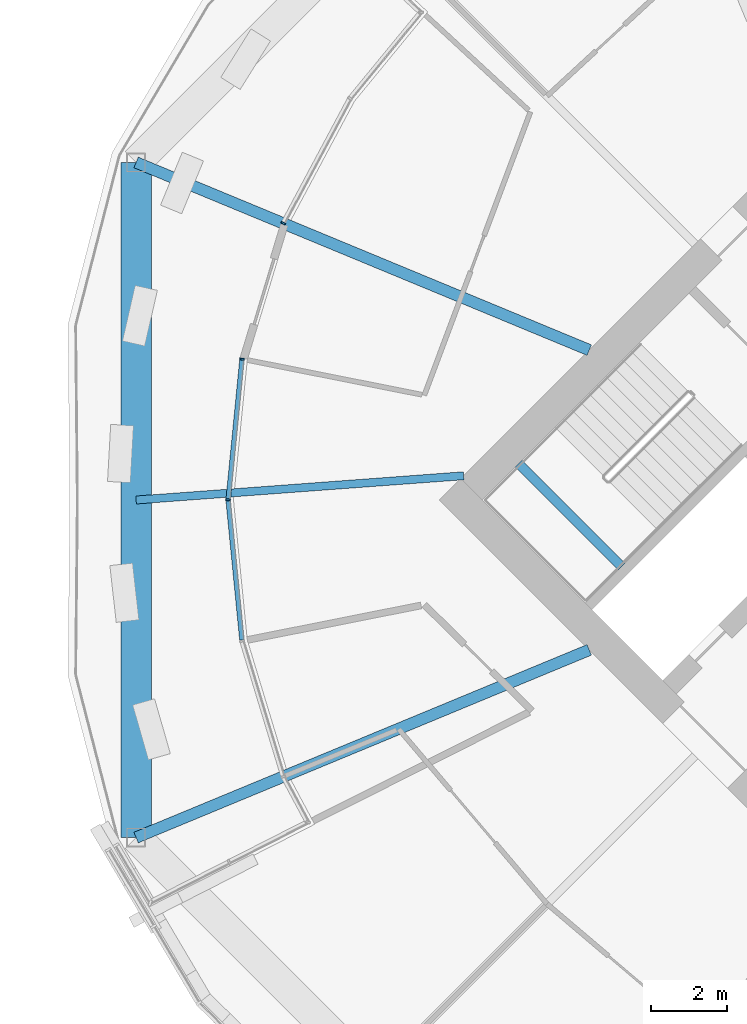
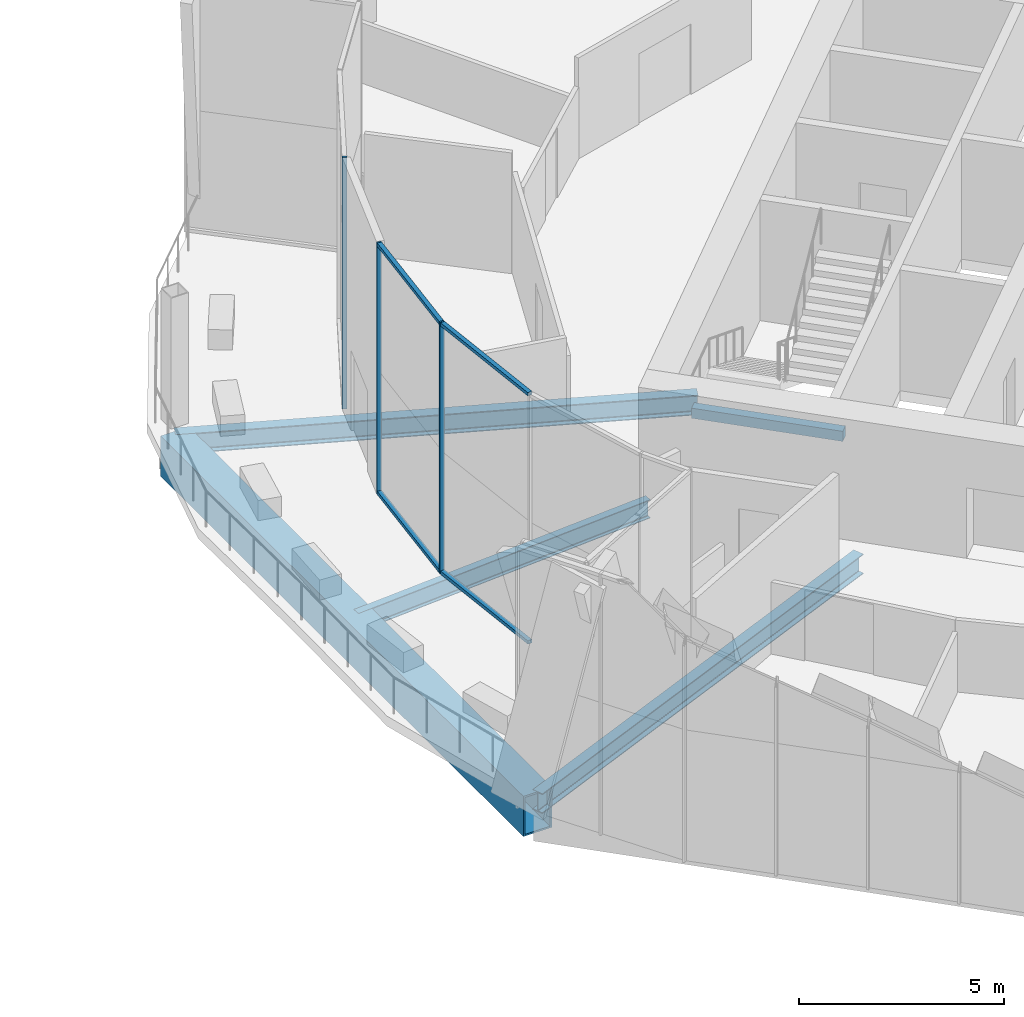
# One storey, part 12 of 31: 7 members, 5 beams, 3 elements without a shape of their own.
"""IFC4 building model written with IfcOpenShell, lengths in metres."""

from ifc_helpers import new_model, si_unit, direction, frame, origin, origin_2d, place, context, subcontext, project, spatial, rectangle, hollow_rectangle, i_section, extrude, material, material_profile, profile_set, type_object, element, aggregate, save


model = new_model("IFC4")

# Units and contexts
model_context = context("Model", 3, precision=1e-05, world=origin(), true_north=direction((0.0, 1.0)))
body_context = subcontext(model_context, "Body", "Model", "MODEL_VIEW")
ifc_project = project(units=[si_unit("LENGTHUNIT", "METRE"), si_unit("AREAUNIT", "SQUARE_METRE"), si_unit("VOLUMEUNIT", "CUBIC_METRE"), si_unit("PLANEANGLEUNIT", "RADIAN"), si_unit("MASSUNIT", "GRAM", prefix="KILO")], contexts=[model_context])

# Site, building, storey
site_placement = place(None, origin())
site = spatial("IfcSite", under=ifc_project, at=site_placement, CompositionType="ELEMENT")
building_placement = place(site_placement, origin())
building = spatial("IfcBuilding", under=site, at=building_placement, Name="Ogive Gate Towers", CompositionType="ELEMENT")
storey_placement = place(building_placement, frame((0.0, 0.0, 107.39990234375)))
storey = spatial("IfcBuildingStorey", under=building, at=storey_placement, Name="L25", CompositionType="ELEMENT", Elevation=107.39990234375)

# Beams
ifc_material_1 = material(Name="Steel SM460", Category="steel")
ifc_material_profile_1 = material_profile(ifc_material_1, hollow_rectangle(XDim=0.800048828125, YDim=1.199951171875, WallThickness=0.050048828125, at=origin_2d()), Name="BX 1200x800x50")
ifc_profile_set_1 = profile_set([ifc_material_profile_1], Name="Steel SM460")
beam_type_1 = type_object("IfcBeamType", Name="Edge girder BX 1200x800x50", PredefinedType="BEAM", material=ifc_profile_set_1)
beam_1_placement = place(storey_placement, frame((14.60302734375, 8.863037109375, -0.89990234375), z_axis=(0.0, -1.0, 0.0), x_axis=(1.0, 0.0, 0.0)))
element("IfcBeam", 1, at=beam_1_placement, inside=storey, type_object=beam_type_1, Name="T2/L25/SBM024", PredefinedType="BEAM", context=body_context, shape_type="SweptSolid", body=[
    extrude(hollow_rectangle(XDim=0.800048828125, YDim=1.199951171875, WallThickness=0.050048828125, at=origin_2d()), origin(), (0.0, 0.0, 1.0), 17.72607421875),
])
ifc_material_2 = material(Name="Concrete C40/50", Category="concrete")
ifc_material_profile_2 = material_profile(ifc_material_2, rectangle(XDim=0.25, YDim=0.300048828125, at=origin_2d()), Name="RC 250x300")
ifc_profile_set_2 = profile_set([ifc_material_profile_2], Name="Concrete C40/50")
beam_type_2 = type_object("IfcBeamType", Name="Landing bearer RC 250x300", PredefinedType="BEAM", material=ifc_profile_set_2)
beam_2_placement = place(storey_placement, frame((24.650390625, 0.9541015625, 1.60009765625), z_axis=(0.707106781187, -0.707106781187, 0.0), x_axis=(0.707106781187, 0.707106781187, 0.0)))
element("IfcBeam", 2, at=beam_2_placement, inside=storey, type_object=beam_type_2, Name="T2 L25 stair 1 landing bearer 1", PredefinedType="BEAM", context=body_context, shape_type="SweptSolid", body=[
    extrude(rectangle(XDim=0.25, YDim=0.300048828125, at=origin_2d()), origin(), (0.0, 0.0, 1.0), 3.824951171875),
])
ifc_material_3 = material(Name="Steel SM355", Category="steel")
ifc_material_profile_3 = material_profile(ifc_material_3, i_section(OverallWidth=0.300048828125, OverallDepth=0.590087890625, WebThickness=0.012939453125, FlangeThickness=0.02490234375, FilletRadius=0.027099609375, at=origin_2d()), Name="HE 600 A")
ifc_profile_set_3 = profile_set([ifc_material_profile_3], Name="Steel SM355")
beam_type_3 = type_object("IfcBeamType", Name="Radial floor beam HE 600 A", PredefinedType="BEAM", material=ifc_profile_set_3)
for number, where, z_axis, x_axis, name in (
    (3, (26.5, -3.93505859375, -0.594970703125), (-0.923877031545, -0.382689470177, 0.0), (0.382689470177, -0.923877031545, 0.0), "T2/L25/SBM001"),
    (4, (26.5, 3.93505859375, -0.594970703125), (-0.923877031545, 0.382689470177, 0.0), (-0.382689470177, -0.923877031545, 0.0), "T2/L25/SBM015"),
):
    element("IfcBeam", number, at=place(storey_placement, frame(where, z_axis=z_axis, x_axis=x_axis)), inside=storey, type_object=beam_type_3, Name=name, PredefinedType="BEAM", context=body_context, shape_type="SweptSolid", body=[
        extrude(i_section(OverallWidth=0.300048828125, OverallDepth=0.590087890625, WebThickness=0.012939453125, FlangeThickness=0.02490234375, FilletRadius=0.027099609375, at=origin_2d()), origin(), (0.0, 0.0, 1.0), 12.877197265625),
    ])
ifc_material_profile_4 = material_profile(ifc_material_3, i_section(OverallWidth=0.2099609375, OverallDepth=0.550048828125, WebThickness=0.010986328125, FlangeThickness=0.01708984375, FilletRadius=0.02392578125, at=origin_2d()), Name="IPE 550")
ifc_profile_set_4 = profile_set([ifc_material_profile_4], Name="Steel SM355")
beam_type_4 = type_object("IfcBeamType", Name="Radial floor beam IPE 550", PredefinedType="BEAM", material=ifc_profile_set_4)
beam_3_placement = place(storey_placement, frame((23.201416015625, 0.636474609375, -0.574951171875), z_axis=(-0.997271538954, -0.07382057702, 0.0), x_axis=(0.07382057702, -0.997271538954, 0.0)))
element("IfcBeam", 5, at=beam_3_placement, inside=storey, type_object=beam_type_4, Name="T2/L25/SBM016", PredefinedType="BEAM", context=body_context, shape_type="SweptSolid", body=[
    extrude(i_section(OverallWidth=0.2099609375, OverallDepth=0.550048828125, WebThickness=0.010986328125, FlangeThickness=0.01708984375, FilletRadius=0.02392578125, at=origin_2d()), origin(), (0.0, 0.0, 1.0), 8.621826171875),
])

# Curtain wall, members
ifc_material_4 = material(Name="Pale metal aluminium", Category="aluminium")
curtain_wall_type = type_object("IfcCurtainWallType", Name="Sky garden glazing", PredefinedType="NOTDEFINED", material=ifc_material_4)
curtain_wall_1_placement = place(storey_placement, origin())
curtain_wall_1 = element("IfcCurtainWall", 6, at=curtain_wall_1_placement, inside=storey, type_object=curtain_wall_type, Name="CW4 T2 ECW01", PredefinedType="NOTDEFINED")
ifc_material_profile_5 = material_profile(ifc_material_4, rectangle(XDim=0.1201171875, YDim=0.050048828125, at=origin_2d()), Name="50 x 120 aluminium box")
ifc_profile_set_5 = profile_set([ifc_material_profile_5], Name="Pale metal aluminium")
member_type_1 = type_object("IfcMemberType", Name="Sky garden glazing mullion 50 x 120", PredefinedType="MULLION", material=ifc_profile_set_5)
member_1_placement = place(storey_placement, frame((17.019775390625, 0.00390625, 0.0), z_axis=(0.0, 0.0, 1.0), x_axis=(0.995183015799, -0.098034509565, 0.0)))
member_1 = element("IfcMember", 7, at=member_1_placement, type_object=member_type_1, Name="CW4 mullion", PredefinedType="MULLION", context=body_context, shape_type="SweptSolid", body=[
    extrude(rectangle(XDim=0.1201171875, YDim=0.050048828125, at=origin_2d()), origin(), (0.0, 0.0, 1.0), 7.5),
])
member_2_placement = place(storey_placement, frame((17.3837890625, 3.698974609375, 0.0), z_axis=(0.0, 0.0, 1.0), x_axis=(0.995183015799, -0.098034509565, 0.0)))
member_2 = element("IfcMember", 8, at=member_2_placement, type_object=member_type_1, Name="CW4 mullion", PredefinedType="MULLION", context=body_context, shape_type="SweptSolid", body=[
    extrude(rectangle(XDim=0.1201171875, YDim=0.050048828125, at=origin_2d()), origin(), (0.0, 0.0, 1.0), 7.5),
])

# Curtain wall, member
curtain_wall_2_placement = place(storey_placement, origin())
curtain_wall_2 = element("IfcCurtainWall", 9, at=curtain_wall_2_placement, inside=storey, type_object=curtain_wall_type, Name="CW4 T2 ECW01b", PredefinedType="NOTDEFINED")
member_3_placement = place(storey_placement, frame((18.466064453125, 7.26708984375, 0.0), z_axis=(0.0, 0.0, 1.0), x_axis=(0.881921264348, -0.471396736826, 0.0)))
member_3 = element("IfcMember", 10, at=member_3_placement, type_object=member_type_1, Name="CW4 mullion", PredefinedType="MULLION", context=body_context, shape_type="SweptSolid", body=[
    extrude(rectangle(XDim=0.1201171875, YDim=0.050048828125, at=origin_2d()), origin(), (0.0, 0.0, 1.0), 7.5),
])
aggregate(curtain_wall_2, [member_3])

# Member
ifc_material_profile_6 = material_profile(ifc_material_4, rectangle(XDim=0.1201171875, YDim=0.10009765625, at=origin_2d()), Name="100 x 120 aluminium box")
ifc_profile_set_6 = profile_set([ifc_material_profile_6], Name="Pale metal aluminium")
member_type_2 = type_object("IfcMemberType", Name="Sky garden glazing transom 100 x 120", PredefinedType="USERDEFINED", material=ifc_profile_set_6)
member_4_placement = place(storey_placement, frame((17.022216796875, 0.02880859375, 7.4501953125), z_axis=(0.097979173801, 0.995188465318, 0.0), x_axis=(-0.995188465318, 0.097979173801, 0.0)))
member_4 = element("IfcMember", 11, at=member_4_placement, type_object=member_type_2, Name="CW4 transom", ObjectType="TRANSOM", PredefinedType="USERDEFINED", context=body_context, shape_type="SweptSolid", body=[
    extrude(rectangle(XDim=0.1201171875, YDim=0.10009765625, at=origin_2d()), origin(), (0.0, 0.0, 1.0), 3.662841796875),
])

member_5_placement = place(storey_placement, frame((17.022216796875, 0.02880859375, 0.050048828125), z_axis=(0.097979173801, 0.995188465318, 0.0), x_axis=(-0.995188465318, 0.097979173801, 0.0)))
member_5 = element("IfcMember", 12, at=member_5_placement, type_object=member_type_2, Name="CW4 transom", ObjectType="TRANSOM", PredefinedType="USERDEFINED", context=body_context, shape_type="SweptSolid", body=[
    extrude(rectangle(XDim=0.1201171875, YDim=0.10009765625, at=origin_2d()), origin(), (0.0, 0.0, 1.0), 3.662841796875),
])

aggregate(curtain_wall_1, [member_1, member_2, member_4, member_5])

# Curtain wall, members
curtain_wall_3_placement = place(storey_placement, origin())
curtain_wall_3 = element("IfcCurtainWall", 13, at=curtain_wall_3_placement, inside=storey, type_object=curtain_wall_type, Name="CW4 T2 ECW02", PredefinedType="NOTDEFINED")
member_6_placement = place(storey_placement, frame((17.381103515625, -3.674072265625, 7.4501953125), z_axis=(-0.097979173801, 0.995188465318, 0.0), x_axis=(-0.995188465318, -0.097979173801, 0.0)))
member_6 = element("IfcMember", 14, at=member_6_placement, type_object=member_type_2, Name="CW4 transom", ObjectType="TRANSOM", PredefinedType="USERDEFINED", context=body_context, shape_type="SweptSolid", body=[
    extrude(rectangle(XDim=0.1201171875, YDim=0.10009765625, at=origin_2d()), origin(), (0.0, 0.0, 1.0), 3.662841796875),
])
member_7_placement = place(storey_placement, frame((17.381103515625, -3.674072265625, 0.050048828125), z_axis=(-0.097979173801, 0.995188465318, 0.0), x_axis=(-0.995188465318, -0.097979173801, 0.0)))
member_7 = element("IfcMember", 15, at=member_7_placement, type_object=member_type_2, Name="CW4 transom", ObjectType="TRANSOM", PredefinedType="USERDEFINED", context=body_context, shape_type="SweptSolid", body=[
    extrude(rectangle(XDim=0.1201171875, YDim=0.10009765625, at=origin_2d()), origin(), (0.0, 0.0, 1.0), 3.662841796875),
])
aggregate(curtain_wall_3, [member_6, member_7])

save(model, "model.ifc")
